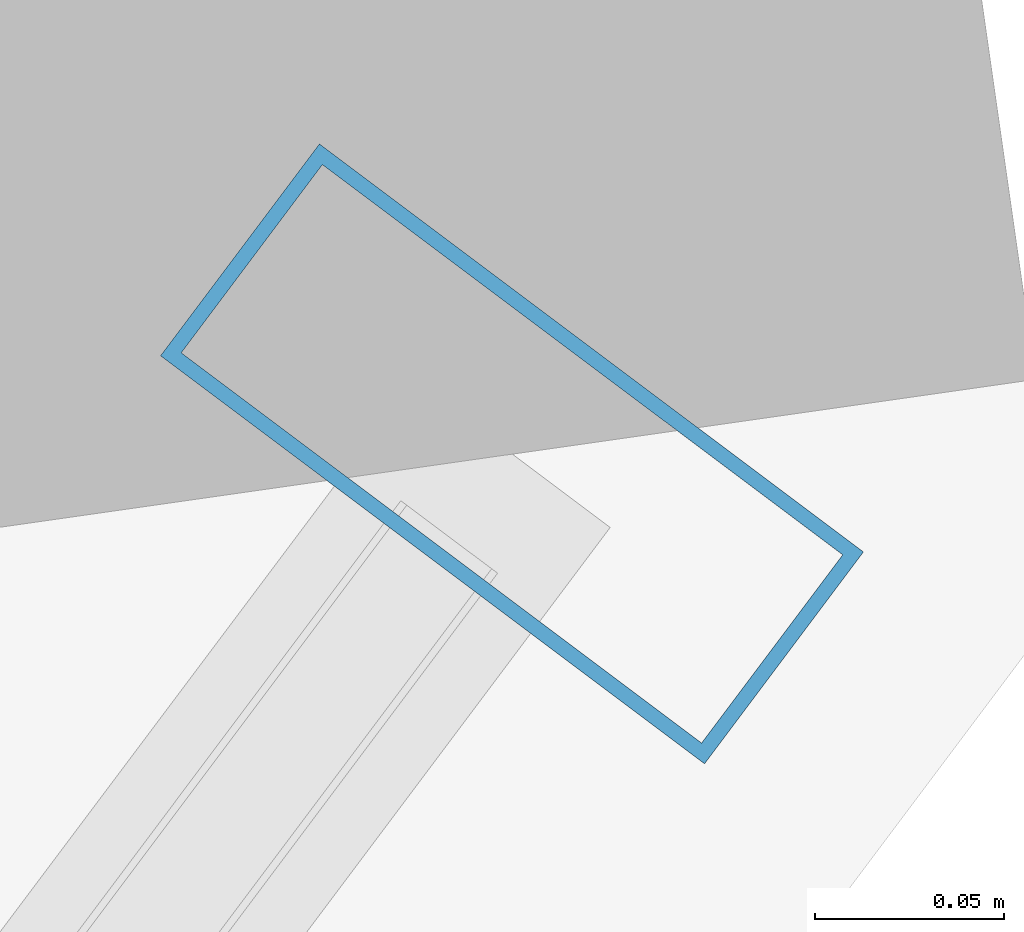
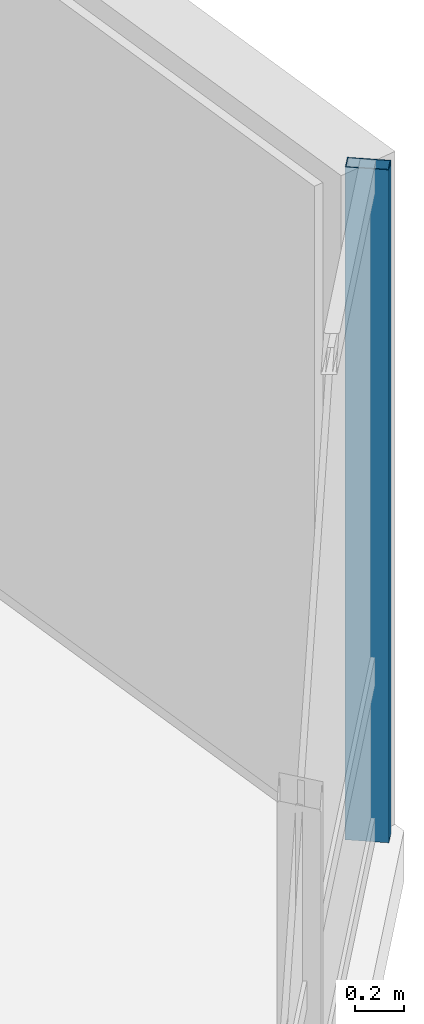
# One storey, part 16 of 26: 1 member, 1 element without a shape of its own.
"""IFC4 building model written with IfcOpenShell, lengths in metres."""

from ifc_helpers import new_model, si_unit, direction, frame, origin, origin_2d, place, context, subcontext, project, spatial, hollow_rectangle, extrude, material, layer, layer_set, material_profile, profile_set, type_object, element, aggregate, save


model = new_model("IFC4")

# Units and contexts
model_context = context("Model", 3, precision=1e-05, world=origin(), true_north=direction((0.0, 1.0)))
body_context = subcontext(model_context, "Body", "Model", "MODEL_VIEW")
ifc_project = project(units=[si_unit("LENGTHUNIT", "METRE"), si_unit("AREAUNIT", "SQUARE_METRE"), si_unit("VOLUMEUNIT", "CUBIC_METRE"), si_unit("PLANEANGLEUNIT", "RADIAN"), si_unit("MASSUNIT", "GRAM", prefix="KILO")], contexts=[model_context])

# Site, building, storey
site_placement = place(None, origin())
site = spatial("IfcSite", under=ifc_project, at=site_placement, CompositionType="ELEMENT")
building_placement = place(site_placement, origin())
building = spatial("IfcBuilding", under=site, at=building_placement, Name="Hatsunagi Terrace Concourse", CompositionType="ELEMENT")
storey_placement = place(building_placement, frame((0.0, 0.0, 152.85009765625)))
storey = spatial("IfcBuildingStorey", under=building, at=storey_placement, Name="L40", CompositionType="ELEMENT", Elevation=152.85009765625)

# Curtain wall, member
ifc_material_1 = material(Name="Anodised Aluminium Alloy 6063-T5", Category="aluminium")
ifc_layer = layer(ifc_material_1, 0.199951171875)
ifc_layer_set = layer_set([ifc_layer], Name="OfficeZone1_CW03")
curtain_wall_type = type_object("IfcCurtainWallType", Name="OfficeZone1_CW03", PredefinedType="NOTDEFINED", material=ifc_layer_set)
curtain_wall_placement = place(storey_placement, origin())
curtain_wall = element("IfcCurtainWall", 1, at=curtain_wall_placement, inside=storey, type_object=curtain_wall_type, Name="Unitised Curtain Wall CW-03 CW-L40-03", PredefinedType="NOTDEFINED")
ifc_material_2 = material(Name="Anodised Aluminium Alloy 6063-T5", Category="aluminium")
ifc_material_profile = material_profile(ifc_material_2, hollow_rectangle(XDim=0.070068359375, YDim=0.179931640625, WallThickness=0.00390625, at=origin_2d()), Name="ALU-MUL-180x70x4")
ifc_profile_set = profile_set([ifc_material_profile], Name="Anodised Aluminium Alloy 6063-T5")
member_type = type_object("IfcMemberType", Name="CurtainWallMullion_180x70", PredefinedType="MULLION", material=ifc_profile_set)
member_placement = place(storey_placement, frame((60.693115234375, 25.9580078125, 0.0), z_axis=(0.0, 0.0, 1.0), x_axis=(-0.599969314634, -0.800023013105, 0.0)))
member = element("IfcMember", 2, at=member_placement, type_object=member_type, Name="Curtain Wall Mullion MUL-02", PredefinedType="MULLION", context=body_context, shape_type="SweptSolid", body=[
    extrude(hollow_rectangle(XDim=0.070068359375, YDim=0.179931640625, WallThickness=0.00390625, at=origin_2d()), origin(), (0.0, 0.0, 1.0), 3.349853515625),
])
aggregate(curtain_wall, [member])

save(model, "model.ifc")
